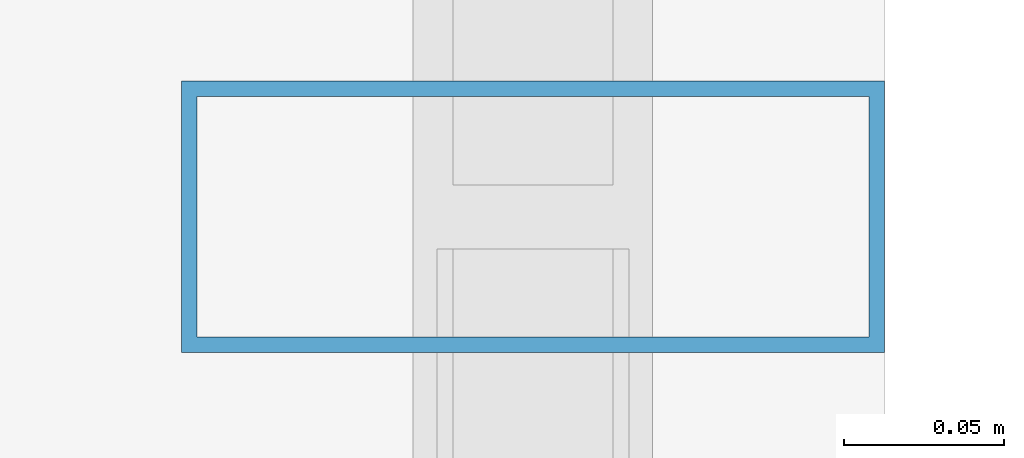
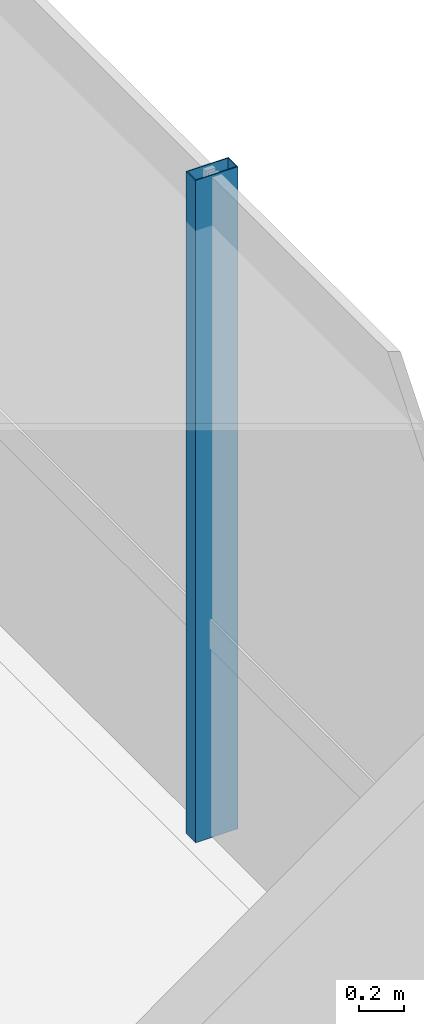
# One storey, part 14 of 38: 1 member, 1 element without a shape of its own.
"""IFC4 building model written with IfcOpenShell, lengths in metres."""

import ifcopenshell
import ifcopenshell.guid

model = None  # the IFC model being written
_history = None  # IfcOwnerHistory: only IFC2X3 demands one
_inside = {}  # id of a spatial element -> (the spatial element, [elements in it])
_under = {}  # id of a project, library or spatial element -> (it, [spatial elements below it])
_declared = {}  # id of a project -> (the project, [libraries it declares])
_typed = {}  # id of a type object -> (the type object, [elements of that type])
_made_of = {}  # id of a material, layer set ... -> (it, [elements and type objects made of it])


def new_model(schema):
    """Start an empty IFC model of exactly this schema.

    Asked for "IFC4X3", IfcOpenShell would pick the latest addendum, in which some entities
    have other attributes; the version numbers below select the first issue.
    IFC2X3 requires an IfcOwnerHistory on every rooted entity: one is made here for all.
    """
    global model, _history
    if schema == "IFC4X3":
        model = ifcopenshell.file(schema_version=(4, 3, 0, 0))
    else:
        model = ifcopenshell.file(schema=schema)
    _inside.clear()
    _under.clear()
    _declared.clear()
    _typed.clear()
    _made_of.clear()
    _history = None
    if model.schema == "IFC2X3":
        org = make("IfcOrganization", Name="unknown")
        user = make(
            "IfcPersonAndOrganization",
            ThePerson=make("IfcPerson", FamilyName="unknown"),
            TheOrganization=org,
        )
        app = make(
            "IfcApplication",
            ApplicationDeveloper=org,
            Version="unknown",
            ApplicationFullName="unknown",
            ApplicationIdentifier="unknown",
        )
        _history = make(
            "IfcOwnerHistory",
            OwningUser=user,
            OwningApplication=app,
            ChangeAction="ADDED",
            CreationDate=0,
        )
    return model


def make(cls, **values):
    """One entity of the class cls with the attributes given. An attribute that is None is left unset."""
    return model.create_entity(
        cls, **{name: value for name, value in values.items() if value is not None}
    )


def rooted(cls, **values):
    """An entity with a GlobalId (a new one), such as an element, a storey or a relation."""
    return make(cls, GlobalId=ifcopenshell.guid.new(), OwnerHistory=_history, **values)


def si_unit(unit_type, name, prefix=None):
    """IfcSIUnit, for example si_unit("LENGTHUNIT", "METRE", prefix="MILLI")."""
    return make("IfcSIUnit", UnitType=unit_type, Prefix=prefix, Name=name)


def assignment(units):
    """IfcUnitAssignment: the units of a project."""
    return None if units is None else make("IfcUnitAssignment", Units=units)


def point(xyz):
    """IfcCartesianPoint."""
    return None if xyz is None else make("IfcCartesianPoint", Coordinates=xyz)


def direction(xyz):
    """IfcDirection."""
    return None if xyz is None else make("IfcDirection", DirectionRatios=xyz)


def frame(location, z_axis=None, x_axis=None):
    """IfcAxis2Placement3D, a coordinate frame: its origin and axes. An axis left out is left unset."""
    return make(
        "IfcAxis2Placement3D",
        Location=point(location),
        Axis=direction(z_axis),
        RefDirection=direction(x_axis),
    )


def frame_2d(location, x_axis=None):
    """IfcAxis2Placement2D, a coordinate frame in the plane: its origin and x axis."""
    return make(
        "IfcAxis2Placement2D", Location=point(location), RefDirection=direction(x_axis)
    )


def origin():
    """The frame at (0, 0, 0) with its axes left unset."""
    return frame((0.0, 0.0, 0.0))


def origin_2d():
    """The frame at (0, 0) in the plane with its x axis left unset."""
    return frame_2d((0.0, 0.0))


def place(relative_to, where):
    """IfcLocalPlacement: puts the frame where relative to a parent placement (None: the world)."""
    return make(
        "IfcLocalPlacement", PlacementRelTo=relative_to, RelativePlacement=where
    )


def context(
    kind, dimensions, precision=None, world=None, true_north=None, identifier=None
):
    """IfcGeometricRepresentationContext, for example the 3D "Model" context."""
    return make(
        "IfcGeometricRepresentationContext",
        ContextIdentifier=identifier,
        ContextType=kind,
        CoordinateSpaceDimension=dimensions,
        Precision=precision,
        WorldCoordinateSystem=world,
        TrueNorth=true_north,
    )


def subcontext(parent, identifier, kind, view, scale=None):
    """IfcGeometricRepresentationSubContext, for example "Body" below "Model"."""
    return make(
        "IfcGeometricRepresentationSubContext",
        ContextIdentifier=identifier,
        ContextType=kind,
        ParentContext=parent,
        TargetScale=scale,
        TargetView=view,
    )


def project(units=None, contexts=None):
    """IfcProject with its units and contexts."""
    return rooted(
        "IfcProject",
        Name="project",
        RepresentationContexts=contexts,
        UnitsInContext=assignment(units),
    )


def spatial(cls, under=None, at=None, **own):
    """A site, building, storey or space (cls), placed at a placement, below another one or the project."""
    s = rooted(cls, ObjectPlacement=at, **own)
    if under is not None:
        _under.setdefault(under.id(), (under, []))[1].append(s)
    return s


def profile(cls, at=None, kind="AREA", **sizes):
    """A parametric profile (cls). Its sizes go by their IFC names, for example OverallWidth=200.0."""
    return make(cls, ProfileType=kind, Position=at, **sizes)


def hollow_rectangle(**sizes):
    """IfcRectangleHollowProfileDef."""
    return profile("IfcRectangleHollowProfileDef", **sizes)


def extrude(swept, where, along, depth):
    """IfcExtrudedAreaSolid: the profile swept, set in the frame where, extruded along a direction by depth."""
    return make(
        "IfcExtrudedAreaSolid",
        SweptArea=swept,
        Position=where,
        ExtrudedDirection=direction(along),
        Depth=depth,
    )


def shape(context_of_items, identifier, shape_type, items):
    """IfcShapeRepresentation: the items that make up one representation, for example the "Body"."""
    return make(
        "IfcShapeRepresentation",
        ContextOfItems=context_of_items,
        RepresentationIdentifier=identifier,
        RepresentationType=shape_type,
        Items=items,
    )


def source(mapping_origin, context_of_items, identifier, shape_type, items):
    """IfcRepresentationMap: a shape defined once, which mapped items show again and again."""
    return make(
        "IfcRepresentationMap",
        MappingOrigin=mapping_origin,
        MappedRepresentation=shape(context_of_items, identifier, shape_type, items),
    )


def transform(
    local_origin,
    x_axis=None,
    y_axis=None,
    z_axis=None,
    scale=None,
    scale2=None,
    scale3=None,
    uniform=True,
):
    """IfcCartesianTransformationOperator3D, or its non-uniform kind. x_axis, y_axis, z_axis: its Axis1, 2, 3."""
    if uniform:
        return make(
            "IfcCartesianTransformationOperator3D",
            Axis1=direction(x_axis),
            Axis2=direction(y_axis),
            LocalOrigin=point(local_origin),
            Scale=scale,
            Axis3=direction(z_axis),
        )
    return make(
        "IfcCartesianTransformationOperator3DnonUniform",
        Axis1=direction(x_axis),
        Axis2=direction(y_axis),
        LocalOrigin=point(local_origin),
        Scale=scale,
        Axis3=direction(z_axis),
        Scale2=scale2,
        Scale3=scale3,
    )


def mapped(mapping_source, mapping_target):
    """IfcMappedItem: shows the shape of a source again, moved by a transform."""
    return make(
        "IfcMappedItem", MappingSource=mapping_source, MappingTarget=mapping_target
    )


def material(Name=None, Category=None):
    """IfcMaterial."""
    return make("IfcMaterial", Name=Name, Category=Category)


def material_profile(
    of_material, cross_section, Name=None, Category=None, Priority=None
):
    """IfcMaterialProfile: a cross section and its material."""
    return make(
        "IfcMaterialProfile",
        Name=Name,
        Material=of_material,
        Profile=cross_section,
        Priority=Priority,
        Category=Category,
    )


def profile_set(profiles, Name=None, composite=None):
    """IfcMaterialProfileSet."""
    return make(
        "IfcMaterialProfileSet",
        Name=Name,
        MaterialProfiles=profiles,
        CompositeProfile=composite,
    )


def made_of(thing, what):
    """Note that an element or type object is made of a material, layer set ...; save() writes the relation."""
    if what is not None:
        _made_of.setdefault(what.id(), (what, []))[1].append(thing)
    return thing


def type_object(cls, material=None, **own):
    """A type object (cls), such as IfcWallType, which elements share."""
    return made_of(rooted(cls, **own), material)


def element(
    cls,
    number,
    at=None,
    inside=None,
    cuts=None,
    type_object=None,
    material=None,
    context=None,
    identifier="Body",
    shape_type=None,
    held_by="IfcProductDefinitionShape",
    body=None,
    shapes=None,
    **own,
):
    """One element of the class cls, such as IfcWall. Its Tag is "e" and its number.

    at: its placement. inside: the storey or other place that contains it. cuts: it is an
    opening in that element (IfcRelVoidsElement). A single representation is given by context,
    identifier, shape_type and body (its items); several are given by shapes. held_by: the class
    of the entity that holds the representations. save() writes the other relations.
    """
    e = rooted(cls, Tag="e%d" % number, ObjectPlacement=at, **own)
    if body is not None:
        shapes = [shape(context, identifier, shape_type, body)]
    if shapes is not None:
        e.Representation = make(held_by, Representations=shapes)
    if inside is not None:
        _inside.setdefault(inside.id(), (inside, []))[1].append(e)
    if cuts is not None:
        rooted(
            "IfcRelVoidsElement", RelatingBuildingElement=cuts, RelatedOpeningElement=e
        )
    if type_object is not None:
        _typed.setdefault(type_object.id(), (type_object, []))[1].append(e)
    return made_of(e, material)


def aggregate(whole, parts):
    """IfcRelAggregates: a whole, such as a stair, and the parts it consists of."""
    return rooted("IfcRelAggregates", RelatingObject=whole, RelatedObjects=parts)


def save(model, path):
    """Write the relations noted so far, then the file.

    IfcRelAggregates (storeys below a building ...), IfcRelContainedInSpatialStructure (elements
    in a storey), IfcRelDefinesByType, IfcRelAssociatesMaterial and IfcRelDeclares: one each for
    every whole, place, type object, material and project.
    """
    for whole, parts in _under.values():
        aggregate(whole, parts)
    for where, things in _inside.values():
        rooted(
            "IfcRelContainedInSpatialStructure",
            RelatedElements=things,
            RelatingStructure=where,
        )
    for kind, things in _typed.values():
        rooted("IfcRelDefinesByType", RelatedObjects=things, RelatingType=kind)
    for what, things in _made_of.values():
        rooted("IfcRelAssociatesMaterial", RelatedObjects=things, RelatingMaterial=what)
    for by, libraries in _declared.values():
        rooted("IfcRelDeclares", RelatingContext=by, RelatedDefinitions=libraries)
    model.write(path)


model = new_model("IFC4")

# Units and contexts
model_context = context("Model", 3, precision=1e-05, world=origin(), true_north=direction((0.0, 1.0)))
body_context = subcontext(model_context, "Body", "Model", "MODEL_VIEW")
ifc_project = project(units=[si_unit("LENGTHUNIT", "METRE"), si_unit("AREAUNIT", "SQUARE_METRE"), si_unit("VOLUMEUNIT", "CUBIC_METRE"), si_unit("PLANEANGLEUNIT", "RADIAN"), si_unit("MASSUNIT", "GRAM", prefix="KILO")], contexts=[model_context])

# Site, building, storey
site_placement = place(None, origin())
site = spatial("IfcSite", under=ifc_project, at=site_placement, CompositionType="ELEMENT")
building_placement = place(site_placement, origin())
building = spatial("IfcBuilding", under=site, at=building_placement, Name="Valdorenza Pilgrim Sanctuary Tower", CompositionType="ELEMENT")
storey_placement = place(building_placement, frame((0.0, 0.0, 180.5)))
storey = spatial("IfcBuildingStorey", under=building, at=storey_placement, Name="L46", CompositionType="ELEMENT", Elevation=180.5)

# Curtain wall, member
ifc_material_1 = material(Name="Curtain-wall IGU glazing", Category="glass")
curtain_wall_type = type_object("IfcCurtainWallType", Name="CW-SYS-03", PredefinedType="NOTDEFINED", material=ifc_material_1)
curtain_wall_placement = place(storey_placement, origin())
curtain_wall = element("IfcCurtainWall", 1, at=curtain_wall_placement, inside=storey, type_object=curtain_wall_type, Name="L46 Curtain Wall CW-L46-1-37", PredefinedType="NOTDEFINED")
ifc_material_2 = material(Name="Anodised aluminium AW-6060", Category="aluminium")
ifc_material_profile = material_profile(ifc_material_2, hollow_rectangle(XDim=0.0849609375, YDim=0.219970703125, WallThickness=0.0048828125, at=origin_2d()), Name="ALU-M 220x85x5")
ifc_profile_set = profile_set([ifc_material_profile], Name="Anodised aluminium AW-6060")
member_type = type_object("IfcMemberType", Name="CW-MUL-03", PredefinedType="MULLION", material=ifc_profile_set)
shared_shape = source(origin(), body_context, "Body", "SweptSolid", [
    extrude(hollow_rectangle(XDim=0.0849609375, YDim=0.219970703125, WallThickness=0.0048828125, at=origin_2d()), origin(), (0.0, 0.0, 1.0), 3.6298828125),
])
member_placement = place(storey_placement, frame((29.68994140625, 1.589599609375, 0.0), z_axis=(0.0, 0.0, 1.0), x_axis=(0.0, -1.0, 0.0)))
member = element("IfcMember", 2, at=member_placement, type_object=member_type, Name="CW-L46-1-37 Mullion 3", PredefinedType="MULLION", context=body_context, shape_type="MappedRepresentation", body=[
    mapped(shared_shape, transform((0.0, 0.0, 0.0), x_axis=(1.0, 0.0, 0.0), y_axis=(0.0, 1.0, 0.0), z_axis=(0.0, 0.0, 1.0), scale=1.0)),
])
aggregate(curtain_wall, [member])

save(model, "model.ifc")
